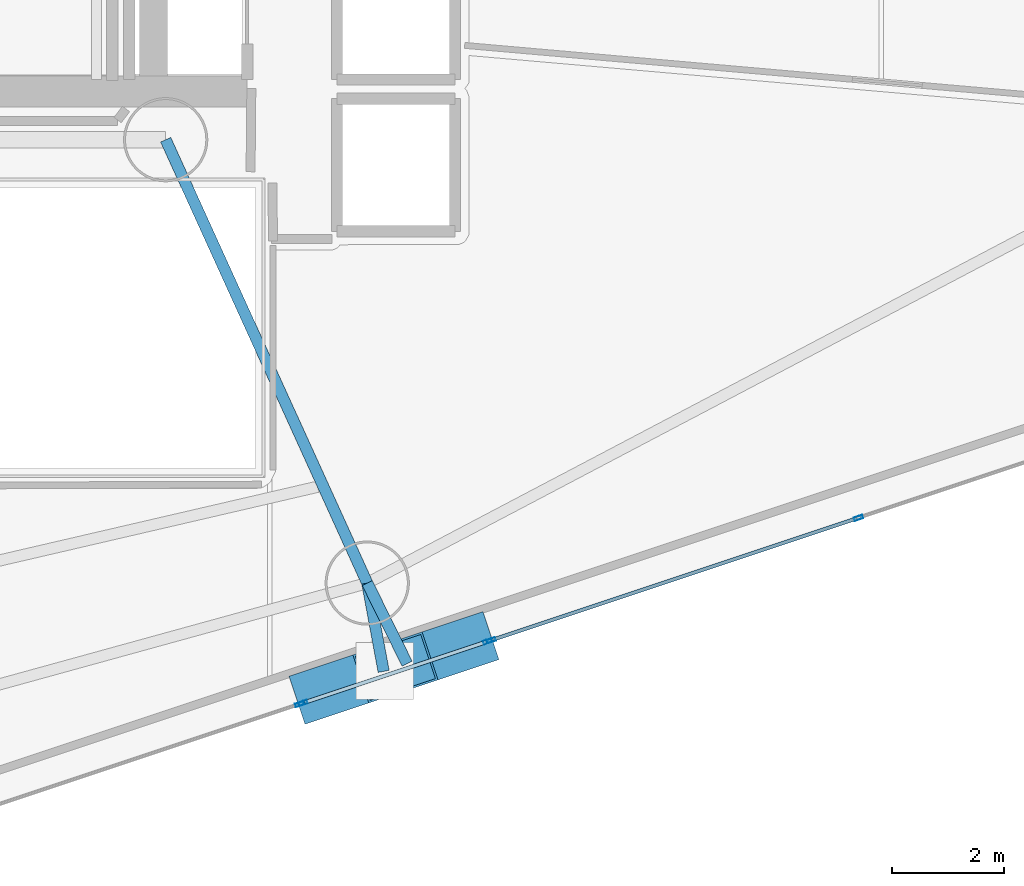
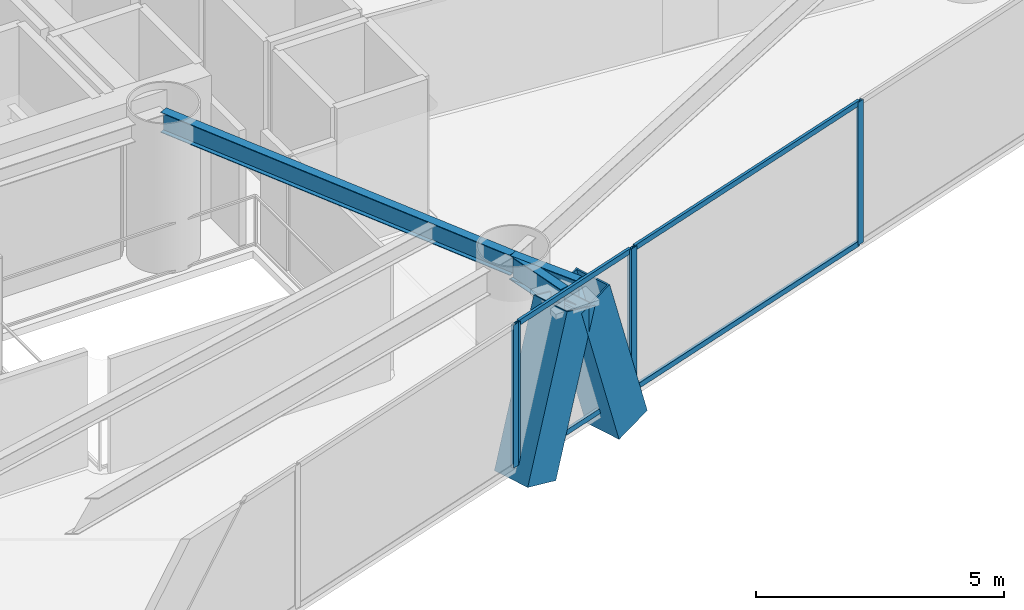
# One storey, part 4 of 19: 11 members, 3 beams, 3 elements without a shape of their own.
"""IFC4 building model written with IfcOpenShell, lengths in metres."""

from ifc_helpers import new_model, si_unit, direction, frame, origin, origin_2d, place, context, subcontext, project, spatial, hollow_rectangle, i_section, extrude, material, layer, layer_set, material_profile, profile_set, type_object, element, aggregate, save


model = new_model("IFC4")

# Units and contexts
model_context = context("Model", 3, precision=1e-05, world=origin(), true_north=direction((0.0, 1.0)))
body_context = subcontext(model_context, "Body", "Model", "MODEL_VIEW")
ifc_project = project(units=[si_unit("LENGTHUNIT", "METRE"), si_unit("AREAUNIT", "SQUARE_METRE"), si_unit("VOLUMEUNIT", "CUBIC_METRE"), si_unit("PLANEANGLEUNIT", "RADIAN"), si_unit("MASSUNIT", "GRAM", prefix="KILO")], contexts=[model_context])

# Site, building, storey
site_placement = place(None, origin())
site = spatial("IfcSite", under=ifc_project, at=site_placement, CompositionType="ELEMENT")
building_placement = place(site_placement, origin())
building = spatial("IfcBuilding", under=site, at=building_placement, Name="Qianvela Tower", CompositionType="ELEMENT")
storey_placement = place(building_placement, frame((0.0, 0.0, 120.0)))
storey = spatial("IfcBuildingStorey", under=building, at=storey_placement, Name="L30", CompositionType="ELEMENT", Elevation=120.0)

# Beams
ifc_material_1 = material(Name="Steel Q355B", Category="steel")
ifc_material_profile_1 = material_profile(ifc_material_1, i_section(OverallWidth=0.199951171875, OverallDepth=0.5, WebThickness=0.010009765625, FlangeThickness=0.01611328125, at=origin_2d()), Name="HN500x200x10x16")
ifc_profile_set_1 = profile_set([ifc_material_profile_1], Name="Steel Q355B")
beam_type_1 = type_object("IfcBeamType", Name="BM-HN500-GIRD", PredefinedType="BEAM", material=ifc_profile_set_1)
beam_placement = place(storey_placement, frame((38.39990234375, 23.85009765625, 3.26806640625), z_axis=(0.413839009437, -0.910350083357, 0.0), x_axis=(0.910350083357, 0.413839009437, 0.0)))
element("IfcBeam", 1, at=beam_placement, inside=storey, type_object=beam_type_1, Name="L30 Radial Primary Floor Girder 6", PredefinedType="BEAM", context=body_context, shape_type="SweptSolid", body=[
    extrude(i_section(OverallWidth=0.199951171875, OverallDepth=0.5, WebThickness=0.010009765625, FlangeThickness=0.01611328125, at=origin_2d()), origin(), (0.0, 0.0, 1.0), 8.67041015625),
])
ifc_material_2 = material(Name="Steel Q355B", Category="steel")
ifc_material_profile_2 = material_profile(ifc_material_2, i_section(OverallWidth=0.199951171875, OverallDepth=0.60009765625, WebThickness=0.010986328125, FlangeThickness=0.01708984375, at=origin_2d()), Name="HN600x200x11x17")
ifc_profile_set_2 = profile_set([ifc_material_profile_2], Name="Steel Q355B")
beam_type_2 = type_object("IfcBeamType", Name="BM-HN600-GIRD", PredefinedType="BEAM", material=ifc_profile_set_2)
for number, where, z_axis, x_axis, name in (
    (2, (41.988037109375, 15.95703125, 3.218017578125), (0.182684926603, -0.983171509754, 0.0), (0.983171509754, 0.182684926603, 0.0), "L30 Mega-Brace Column Tie Bracket F3-1"),
    (3, (41.988037109375, 15.95703125, 3.218017578125), (0.443669283706, -0.896190586145, 0.0), (0.896190586145, 0.443669283706, 0.0), "L30 Mega-Brace Column Tie Bracket F3-2"),
):
    element("IfcBeam", number, at=place(storey_placement, frame(where, z_axis=z_axis, x_axis=x_axis)), inside=storey, type_object=beam_type_2, Name=name, PredefinedType="BEAM", context=body_context, shape_type="SweptSolid", body=[
        extrude(i_section(OverallWidth=0.199951171875, OverallDepth=0.60009765625, WebThickness=0.010986328125, FlangeThickness=0.01708984375, at=origin_2d()), origin(), (0.0, 0.0, 1.0), 1.599609375),
    ])

# Curtain wall, members
ifc_material_3 = material(Name="Anodised Architectural Aluminium and Insulated Spandrel Panel", Category="aluminium")
ifc_layer_1 = layer(ifc_material_3, 0.179931640625)
ifc_layer_set_1 = layer_set([ifc_layer_1], Name="Anodised Architectural Aluminium and Insulated Spandrel Panel")
curtain_wall_type_1 = type_object("IfcCurtainWallType", Name="CW-BRACEBAY", PredefinedType="USERDEFINED", material=ifc_layer_set_1)
curtain_wall_1_placement = place(storey_placement, origin())
curtain_wall_1 = element("IfcCurtainWall", 4, at=curtain_wall_1_placement, inside=storey, type_object=curtain_wall_type_1, Name="L30 CW-BRACEBAY Curtain Wall 06B", ObjectType="CURTAIN_WALL_SYSTEM", PredefinedType="USERDEFINED")
ifc_material_4 = material(Name="Anodised Architectural Aluminium 6063-T6", Category="aluminium")
ifc_material_profile_3 = material_profile(ifc_material_4, hollow_rectangle(XDim=0.06494140625, YDim=0.159912109375, WallThickness=0.0048828125, at=origin_2d()), Name="ALU-MULL-65x160")
ifc_profile_set_3 = profile_set([ifc_material_profile_3], Name="Anodised Architectural Aluminium 6063-T6")
member_type_1 = type_object("IfcMemberType", Name="CW-BRACEBAY-MULL", PredefinedType="MULLION", material=ifc_profile_set_3)
member_1_placement = place(storey_placement, frame((40.846923828125, 13.822265625, 0.0), z_axis=(0.0, 0.0, 1.0), x_axis=(-0.31620227029, 0.948691796246, 0.0)))
member_1 = element("IfcMember", 5, at=member_1_placement, type_object=member_type_1, Name="CW-9 mullion 1", PredefinedType="MULLION", context=body_context, shape_type="SweptSolid", body=[
    extrude(hollow_rectangle(XDim=0.06494140625, YDim=0.159912109375, WallThickness=0.0048828125, at=origin_2d()), origin(), (0.0, 0.0, 1.0), 3.52001953125),
])
member_2_placement = place(storey_placement, frame((44.13427734375, 14.91796875, 0.0), z_axis=(0.0, 0.0, 1.0), x_axis=(-0.31620227029, 0.948691796246, 0.0)))
member_2 = element("IfcMember", 6, at=member_2_placement, type_object=member_type_1, Name="CW-9 mullion 2", PredefinedType="MULLION", context=body_context, shape_type="SweptSolid", body=[
    extrude(hollow_rectangle(XDim=0.06494140625, YDim=0.159912109375, WallThickness=0.0048828125, at=origin_2d()), origin(), (0.0, 0.0, 1.0), 3.52001953125),
])
ifc_material_5 = material(Name="Anodised Architectural Aluminium 6063-T6", Category="aluminium")
ifc_material_profile_4 = material_profile(ifc_material_5, hollow_rectangle(XDim=0.06494140625, YDim=0.1298828125, WallThickness=0.00439453125, at=origin_2d()), Name="ALU-TRAN-65x130")
ifc_profile_set_4 = profile_set([ifc_material_profile_4], Name="Anodised Architectural Aluminium 6063-T6")
member_type_2 = type_object("IfcMemberType", Name="CW-BRACEBAY-TRAN", PredefinedType="USERDEFINED", material=ifc_profile_set_4)
member_3_placement = place(storey_placement, frame((40.8779296875, 13.83251953125, 0.032470703125), z_axis=(0.948683298051, 0.316227766017, 0.0), x_axis=(-0.316227766017, 0.948683298051, 0.0)))
member_3 = element("IfcMember", 7, at=member_3_placement, type_object=member_type_2, Name="CW-9 transom 1.1", ObjectType="TRANSOM", PredefinedType="USERDEFINED", context=body_context, shape_type="SweptSolid", body=[
    extrude(hollow_rectangle(XDim=0.06494140625, YDim=0.1298828125, WallThickness=0.00439453125, at=origin_2d()), origin(), (0.0, 0.0, 1.0), 3.400146484375),
])
member_4_placement = place(storey_placement, frame((40.8779296875, 13.83251953125, 3.487548828125), z_axis=(0.948683298051, 0.316227766017, 0.0), x_axis=(-0.316227766017, 0.948683298051, 0.0)))
member_4 = element("IfcMember", 8, at=member_4_placement, type_object=member_type_2, Name="CW-9 transom 1.2", ObjectType="TRANSOM", PredefinedType="USERDEFINED", context=body_context, shape_type="SweptSolid", body=[
    extrude(hollow_rectangle(XDim=0.06494140625, YDim=0.1298828125, WallThickness=0.00439453125, at=origin_2d()), origin(), (0.0, 0.0, 1.0), 3.400146484375),
])
aggregate(curtain_wall_1, [member_1, member_2, member_3, member_4])

# Curtain wall, member
ifc_material_6 = material(Name="Anodised Architectural Aluminium and Low-E Glass", Category="aluminium")
ifc_layer_2 = layer(ifc_material_6, 0.169921875)
ifc_layer_set_2 = layer_set([ifc_layer_2], Name="Anodised Architectural Aluminium and Low-E Glass")
curtain_wall_type_2 = type_object("IfcCurtainWallType", Name="CW-COLIV-Z34", PredefinedType="USERDEFINED", material=ifc_layer_set_2)
curtain_wall_2_placement = place(storey_placement, origin())
curtain_wall_2 = element("IfcCurtainWall", 9, at=curtain_wall_2_placement, inside=storey, type_object=curtain_wall_type_2, Name="L30 CW-COLIV-Z34 Curtain Wall 06A", ObjectType="CURTAIN_WALL_SYSTEM", PredefinedType="USERDEFINED")
ifc_material_7 = material(Name="Anodised Architectural Aluminium 6063-T6", Category="aluminium")
ifc_material_profile_5 = material_profile(ifc_material_7, hollow_rectangle(XDim=0.06494140625, YDim=0.159912109375, WallThickness=0.0048828125, at=origin_2d()), Name="ALU-MULL-65x160")
ifc_profile_set_5 = profile_set([ifc_material_profile_5], Name="Anodised Architectural Aluminium 6063-T6")
member_type_3 = type_object("IfcMemberType", Name="CW-COLIV-Z34-MULL", PredefinedType="MULLION", material=ifc_profile_set_5)
member_5_placement = place(storey_placement, frame((40.785400390625, 13.8017578125, 0.0), z_axis=(0.0, 0.0, 1.0), x_axis=(-0.316196257999, 0.948693800142, 0.0)))
member_5 = element("IfcMember", 10, at=member_5_placement, type_object=member_type_3, Name="CW-4 mullion 3", PredefinedType="MULLION", context=body_context, shape_type="SweptSolid", body=[
    extrude(hollow_rectangle(XDim=0.06494140625, YDim=0.159912109375, WallThickness=0.0048828125, at=origin_2d()), origin(), (0.0, 0.0, 1.0), 3.52001953125),
])
aggregate(curtain_wall_2, [member_5])

# Curtain wall, members
curtain_wall_3_placement = place(storey_placement, origin())
curtain_wall_3 = element("IfcCurtainWall", 11, at=curtain_wall_3_placement, inside=storey, type_object=curtain_wall_type_2, Name="L30 CW-COLIV-Z34 Curtain Wall 06C", ObjectType="CURTAIN_WALL_SYSTEM", PredefinedType="USERDEFINED")
member_6_placement = place(storey_placement, frame((44.196044921875, 14.9384765625, 0.0), z_axis=(0.0, 0.0, 1.0), x_axis=(-0.316195277047, 0.948694127089, 0.0)))
member_6 = element("IfcMember", 12, at=member_6_placement, type_object=member_type_3, Name="CW-4 mullion 1", PredefinedType="MULLION", context=body_context, shape_type="SweptSolid", body=[
    extrude(hollow_rectangle(XDim=0.06494140625, YDim=0.159912109375, WallThickness=0.0048828125, at=origin_2d()), origin(), (0.0, 0.0, 1.0), 3.52001953125),
])
member_7_placement = place(storey_placement, frame((50.7353515625, 17.117919921875, 0.0), z_axis=(0.0, 0.0, 1.0), x_axis=(-0.316195277047, 0.948694127089, 0.0)))
member_7 = element("IfcMember", 13, at=member_7_placement, type_object=member_type_3, Name="CW-4 mullion 2", PredefinedType="MULLION", context=body_context, shape_type="SweptSolid", body=[
    extrude(hollow_rectangle(XDim=0.06494140625, YDim=0.159912109375, WallThickness=0.0048828125, at=origin_2d()), origin(), (0.0, 0.0, 1.0), 3.52001953125),
])
ifc_material_8 = material(Name="Anodised Architectural Aluminium 6063-T6", Category="aluminium")
ifc_material_profile_6 = material_profile(ifc_material_8, hollow_rectangle(XDim=0.06494140625, YDim=0.1298828125, WallThickness=0.00439453125, at=origin_2d()), Name="ALU-TRAN-65x130")
ifc_profile_set_6 = profile_set([ifc_material_profile_6], Name="Anodised Architectural Aluminium 6063-T6")
member_type_4 = type_object("IfcMemberType", Name="CW-COLIV-Z34-TRAN", PredefinedType="USERDEFINED", material=ifc_profile_set_6)
member_8_placement = place(storey_placement, frame((44.226806640625, 14.94873046875, 0.032470703125), z_axis=(0.948694024484, 0.316195584898, 0.0), x_axis=(-0.316195584898, 0.948694024484, 0.0)))
member_8 = element("IfcMember", 14, at=member_8_placement, type_object=member_type_4, Name="CW-4 transom 1.1", ObjectType="TRANSOM", PredefinedType="USERDEFINED", context=body_context, shape_type="SweptSolid", body=[
    extrude(hollow_rectangle(XDim=0.06494140625, YDim=0.1298828125, WallThickness=0.00439453125, at=origin_2d()), origin(), (0.0, 0.0, 1.0), 6.827880859375),
])
member_9_placement = place(storey_placement, frame((44.226806640625, 14.94873046875, 3.487548828125), z_axis=(0.948694024484, 0.316195584898, 0.0), x_axis=(-0.316195584898, 0.948694024484, 0.0)))
member_9 = element("IfcMember", 15, at=member_9_placement, type_object=member_type_4, Name="CW-4 transom 1.2", ObjectType="TRANSOM", PredefinedType="USERDEFINED", context=body_context, shape_type="SweptSolid", body=[
    extrude(hollow_rectangle(XDim=0.06494140625, YDim=0.1298828125, WallThickness=0.00439453125, at=origin_2d()), origin(), (0.0, 0.0, 1.0), 6.827880859375),
])
aggregate(curtain_wall_3, [member_6, member_7, member_8, member_9])

# Members
ifc_material_9 = material(Name="Steel Q420GJC", Category="steel")
ifc_material_profile_7 = material_profile(ifc_material_9, hollow_rectangle(XDim=0.89990234375, YDim=0.89990234375, WallThickness=0.035888671875, at=origin_2d()), Name="MBOX-900x900x36")
ifc_profile_set_7 = profile_set([ifc_material_profile_7], Name="Steel Q420GJC")
member_type_5 = type_object("IfcMemberType", Name="MBR-MBRACE-900", PredefinedType="BRACE", material=ifc_profile_set_7)
member_10_placement = place(storey_placement, frame((41.143310546875, 14.00537109375, -0.48193359375), z_axis=(0.292338338713, 0.09742518825, 0.951339386556), x_axis=(-0.316166650673, 0.948703667645, 0.0)))
element("IfcMember", 16, at=member_10_placement, inside=storey, type_object=member_type_5, Name="L30 Tier 5 Exterior Mega-Brace F3A", PredefinedType="BRACE", context=body_context, shape_type="SweptSolid", body=[
    extrude(hollow_rectangle(XDim=0.89990234375, YDim=0.89990234375, WallThickness=0.035888671875, at=origin_2d()), origin(), (0.0, 0.0, 1.0), 3.88916015625),
])
member_11_placement = place(storey_placement, frame((43.7822265625, 14.885009765625, -0.48193359375), z_axis=(-0.280042737696, -0.093368593995, 0.955436220121), x_axis=(0.316291835215, -0.948661939247, 0.0)))
element("IfcMember", 17, at=member_11_placement, inside=storey, type_object=member_type_5, Name="L30 Tier 5 Exterior Mega-Brace F3B", PredefinedType="BRACE", context=body_context, shape_type="SweptSolid", body=[
    extrude(hollow_rectangle(XDim=0.89990234375, YDim=0.89990234375, WallThickness=0.035888671875, at=origin_2d()), origin(), (0.0, 0.0, 1.0), 3.87255859375),
])

save(model, "model.ifc")
